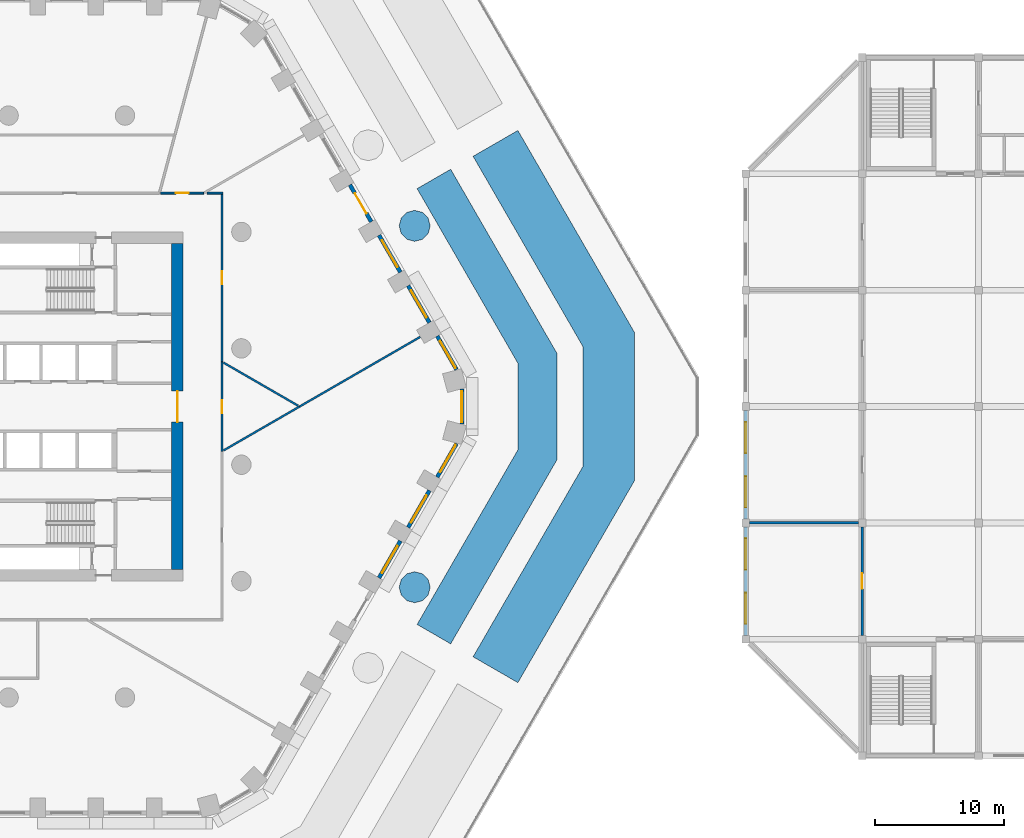
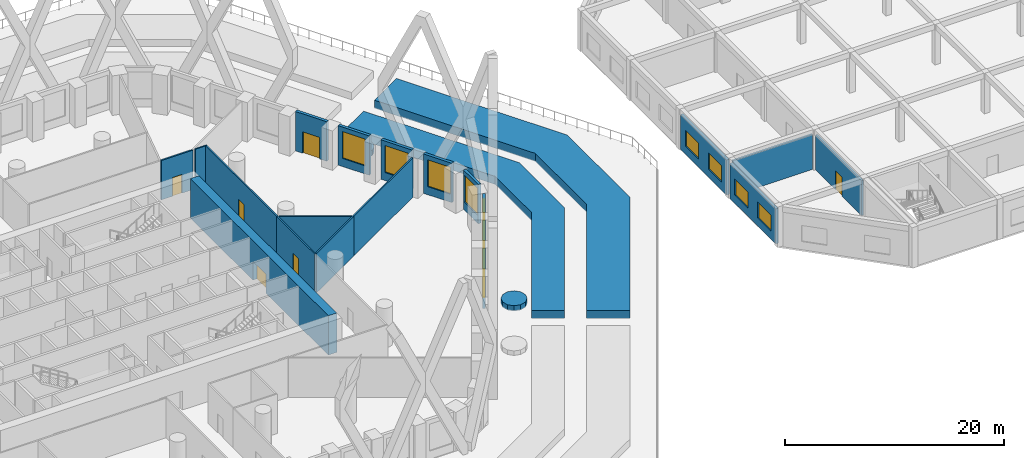
# One storey, part 10 of 27: 24 walls, 11 windows, 6 doors, 17 openings.
"""IFC4 building model written with IfcOpenShell, lengths in metres."""

from ifc_helpers import new_model, si_unit, direction, frame, frame_2d, origin, place, context, subcontext, project, spatial, polyline, rectangle, outline, extrude, material, layer, layer_set, type_object, element, fill, save


model = new_model("IFC4")

# Units and contexts
model_context = context("Model", 3, precision=1e-05, world=origin(), true_north=direction((0.0, 1.0)))
body_context = subcontext(model_context, "Body", "Model", "MODEL_VIEW")
ifc_project = project(units=[si_unit("LENGTHUNIT", "METRE"), si_unit("AREAUNIT", "SQUARE_METRE"), si_unit("VOLUMEUNIT", "CUBIC_METRE"), si_unit("PLANEANGLEUNIT", "RADIAN"), si_unit("MASSUNIT", "GRAM", prefix="KILO")], contexts=[model_context])

# Site, building, storey
site_placement = place(None, origin())
site = spatial("IfcSite", under=ifc_project, at=site_placement, CompositionType="ELEMENT")
building_placement = place(site_placement, origin())
building = spatial("IfcBuilding", under=site, at=building_placement, Name="Dhurran Vertical Campus", CompositionType="ELEMENT")
storey_placement = place(building_placement, frame((0.0, 0.0, 10.800048828125)))
storey = spatial("IfcBuildingStorey", under=building, at=storey_placement, Name="L02", CompositionType="ELEMENT", Elevation=10.800048828125)

# Wall, opening, window
ifc_material_1 = material(Name="Precast concrete C50/60", Category="concrete")
ifc_layer_1 = layer(ifc_material_1, 0.300048828125)
ifc_layer_set_1 = layer_set([ifc_layer_1], Name="Precast concrete C50/60")
wall_type_1 = type_object("IfcWallType", Name="Precast spandrel wall 300", PredefinedType="SOLIDWALL", material=ifc_layer_set_1)
wall_1_placement = place(storey_placement, frame((33.144287109375, -13.246337890625, 0.0), z_axis=(0.0, 0.0, 1.0), x_axis=(0.499991515992, 0.866030301974, 0.0)))
wall_1 = element("IfcWall", 1, at=wall_1_placement, inside=storey, type_object=wall_type_1, Name="EW1 L02.14", PredefinedType="SOLIDWALL", context=body_context, shape_type="SweptSolid", body=[
    extrude(rectangle(XDim=3.298828125, YDim=0.300048828125, at=frame_2d((1.6494140625, 0.0))), origin(), (0.0, 0.0, 1.0), 4.39990234375),
])
opening_1_placement = place(wall_1_placement, frame((0.449462890625, 0.0, 0.89990234375)))
opening_1 = element("IfcOpeningElement", 2, at=opening_1_placement, cuts=wall_1, Name="Opening WT2", PredefinedType="OPENING", context=body_context, shape_type="SweptSolid", body=[
    extrude(rectangle(XDim=2.39990234375, YDim=3.0, at=frame_2d((1.199951171875, 1.5))), frame((0.0, 0.159912109375, 0.0), z_axis=(0.0, -1.0, 0.0), x_axis=(1.0, 0.0, 0.0)), (0.0, 0.0, 1.0), 0.320068359375),
])
ifc_material_2 = material(Name="Aluminium frame with solar-control glass", Category="aluminium")
window_type_1 = type_object("IfcWindowType", Name="Podium window 2400 x 3000", PartitioningType="SINGLE_PANEL", PredefinedType="WINDOW", material=ifc_material_2)
window_1_placement = place(opening_1_placement, origin())
window_1 = element("IfcWindow", 3, at=window_1_placement, inside=storey, type_object=window_type_1, Name="WT2 L02.14", OverallHeight=3.0, OverallWidth=2.39990234375, PartitioningType="SINGLE_PANEL", PredefinedType="WINDOW", context=body_context, shape_type="SweptSolid", body=[
    extrude(rectangle(XDim=2.39990234375, YDim=3.0, at=frame_2d((1.199951171875, 1.5))), frame((0.0, 0.030029296875, 0.0), z_axis=(0.0, -1.0, 0.0), x_axis=(1.0, 0.0, 0.0)), (0.0, 0.0, 1.0), 0.06005859375),
])
fill(opening_1, window_1)

wall_2_placement = place(storey_placement, frame((35.394287109375, -9.34912109375, 0.0), z_axis=(0.0, 0.0, 1.0), x_axis=(0.499991515992, 0.866030301974, 0.0)))
wall_2 = element("IfcWall", 4, at=wall_2_placement, inside=storey, type_object=wall_type_1, Name="EW1 L02.15", PredefinedType="SOLIDWALL", context=body_context, shape_type="SweptSolid", body=[
    extrude(rectangle(XDim=3.298828125, YDim=0.300048828125, at=frame_2d((1.6494140625, 0.0))), origin(), (0.0, 0.0, 1.0), 4.39990234375),
])
opening_2_placement = place(wall_2_placement, frame((0.449462890625, 0.0, 0.89990234375)))
opening_2 = element("IfcOpeningElement", 5, at=opening_2_placement, cuts=wall_2, Name="Opening WT2", PredefinedType="OPENING", context=body_context, shape_type="SweptSolid", body=[
    extrude(rectangle(XDim=2.39990234375, YDim=3.0, at=frame_2d((1.199951171875, 1.5))), frame((0.0, 0.159912109375, 0.0), z_axis=(0.0, -1.0, 0.0), x_axis=(1.0, 0.0, 0.0)), (0.0, 0.0, 1.0), 0.320068359375),
])
window_2_placement = place(opening_2_placement, origin())
window_2 = element("IfcWindow", 6, at=window_2_placement, inside=storey, type_object=window_type_1, Name="WT2 L02.15", OverallHeight=3.0, OverallWidth=2.39990234375, PartitioningType="SINGLE_PANEL", PredefinedType="WINDOW", context=body_context, shape_type="SweptSolid", body=[
    extrude(rectangle(XDim=2.39990234375, YDim=3.0, at=frame_2d((1.199951171875, 1.5))), frame((0.0, 0.030029296875, 0.0), z_axis=(0.0, -1.0, 0.0), x_axis=(1.0, 0.0, 0.0)), (0.0, 0.0, 1.0), 0.06005859375),
])
fill(opening_2, window_2)

wall_3_placement = place(storey_placement, frame((37.644287109375, -5.4521484375, 0.0), z_axis=(0.0, 0.0, 1.0), x_axis=(0.49999586137, 0.866027793211, 0.0)))
wall_3 = element("IfcWall", 7, at=wall_3_placement, inside=storey, type_object=wall_type_1, Name="EW1 L02.16", PredefinedType="SOLIDWALL", context=body_context, shape_type="SweptSolid", body=[
    extrude(rectangle(XDim=2.98876953125, YDim=0.300048828125, at=frame_2d((1.494384765625, 0.0))), origin(), (0.0, 0.0, 1.0), 4.39990234375),
])
opening_3_placement = place(wall_3_placement, frame((0.449462890625, 0.0, 0.89990234375)))
opening_3 = element("IfcOpeningElement", 8, at=opening_3_placement, cuts=wall_3, Name="Opening WT2", PredefinedType="OPENING", context=body_context, shape_type="SweptSolid", body=[
    extrude(rectangle(XDim=2.39990234375, YDim=3.0, at=frame_2d((1.199951171875, 1.5))), frame((0.0, 0.159912109375, 0.0), z_axis=(0.0, -1.0, 0.0), x_axis=(1.0, 0.0, 0.0)), (0.0, 0.0, 1.0), 0.320068359375),
])
window_3_placement = place(opening_3_placement, origin())
window_3 = element("IfcWindow", 9, at=window_3_placement, inside=storey, type_object=window_type_1, Name="WT2 L02.16", OverallHeight=3.0, OverallWidth=2.39990234375, PartitioningType="SINGLE_PANEL", PredefinedType="WINDOW", context=body_context, shape_type="SweptSolid", body=[
    extrude(rectangle(XDim=2.39990234375, YDim=3.0, at=frame_2d((1.199951171875, 1.5))), frame((0.0, 0.030029296875, 0.0), z_axis=(0.0, -1.0, 0.0), x_axis=(1.0, 0.0, 0.0)), (0.0, 0.0, 1.0), 0.06005859375),
])
fill(opening_3, window_3)

wall_4_placement = place(storey_placement, frame((39.547119140625, -1.33935546875, 0.0), z_axis=(0.0, 0.0, 1.0), x_axis=(0.0, 1.0, 0.0)))
wall_4 = element("IfcWall", 10, at=wall_4_placement, inside=storey, type_object=wall_type_1, Name="EW1 L02.17", PredefinedType="SOLIDWALL", context=body_context, shape_type="SweptSolid", body=[
    extrude(rectangle(XDim=2.6787109375, YDim=0.300048828125, at=frame_2d((1.33935546875, 0.0))), origin(), (0.0, 0.0, 1.0), 4.39990234375),
])
opening_4_placement = place(wall_4_placement, frame((0.139404296875, 0.0, 0.89990234375)))
opening_4 = element("IfcOpeningElement", 11, at=opening_4_placement, cuts=wall_4, Name="Opening WT2", PredefinedType="OPENING", context=body_context, shape_type="SweptSolid", body=[
    extrude(rectangle(XDim=2.39990234375, YDim=3.0, at=frame_2d((1.199951171875, 1.5))), frame((0.0, 0.159912109375, 0.0), z_axis=(0.0, -1.0, 0.0), x_axis=(1.0, 0.0, 0.0)), (0.0, 0.0, 1.0), 0.320068359375),
])
window_4_placement = place(opening_4_placement, origin())
window_4 = element("IfcWindow", 12, at=window_4_placement, inside=storey, type_object=window_type_1, Name="WT2 L02.17", OverallHeight=3.0, OverallWidth=2.39990234375, PartitioningType="SINGLE_PANEL", PredefinedType="WINDOW", context=body_context, shape_type="SweptSolid", body=[
    extrude(rectangle(XDim=2.39990234375, YDim=3.0, at=frame_2d((1.199951171875, 1.5))), frame((0.0, 0.030029296875, 0.0), z_axis=(0.0, -1.0, 0.0), x_axis=(1.0, 0.0, 0.0)), (0.0, 0.0, 1.0), 0.06005859375),
])
fill(opening_4, window_4)

wall_5_placement = place(storey_placement, frame((39.138671875, 2.86376953125, 0.0), z_axis=(0.0, 0.0, 1.0), x_axis=(-0.49999586137, 0.866027793211, 0.0)))
wall_5 = element("IfcWall", 13, at=wall_5_placement, inside=storey, type_object=wall_type_1, Name="EW1 L02.18", PredefinedType="SOLIDWALL", context=body_context, shape_type="SweptSolid", body=[
    extrude(rectangle(XDim=2.98876953125, YDim=0.300048828125, at=frame_2d((1.494384765625, 0.0))), origin(), (0.0, 0.0, 1.0), 4.39990234375),
])
opening_5_placement = place(wall_5_placement, frame((0.139404296875, 0.0, 0.89990234375)))
opening_5 = element("IfcOpeningElement", 14, at=opening_5_placement, cuts=wall_5, Name="Opening WT2", PredefinedType="OPENING", context=body_context, shape_type="SweptSolid", body=[
    extrude(rectangle(XDim=2.39990234375, YDim=3.0, at=frame_2d((1.199951171875, 1.5))), frame((0.0, 0.159912109375, 0.0), z_axis=(0.0, -1.0, 0.0), x_axis=(1.0, 0.0, 0.0)), (0.0, 0.0, 1.0), 0.320068359375),
])
window_5_placement = place(opening_5_placement, origin())
window_5 = element("IfcWindow", 15, at=window_5_placement, inside=storey, type_object=window_type_1, Name="WT2 L02.18", OverallHeight=3.0, OverallWidth=2.39990234375, PartitioningType="SINGLE_PANEL", PredefinedType="WINDOW", context=body_context, shape_type="SweptSolid", body=[
    extrude(rectangle(XDim=2.39990234375, YDim=3.0, at=frame_2d((1.199951171875, 1.5))), frame((0.0, 0.030029296875, 0.0), z_axis=(0.0, -1.0, 0.0), x_axis=(1.0, 0.0, 0.0)), (0.0, 0.0, 1.0), 0.06005859375),
])
fill(opening_5, window_5)

wall_6_placement = place(storey_placement, frame((37.043701171875, 6.4921875, 0.0), z_axis=(0.0, 0.0, 1.0), x_axis=(-0.499991515992, 0.866030301974, 0.0)))
wall_6 = element("IfcWall", 16, at=wall_6_placement, inside=storey, type_object=wall_type_1, Name="EW1 L02.19", PredefinedType="SOLIDWALL", context=body_context, shape_type="SweptSolid", body=[
    extrude(rectangle(XDim=3.298828125, YDim=0.300048828125, at=frame_2d((1.6494140625, 0.0))), origin(), (0.0, 0.0, 1.0), 4.39990234375),
])
opening_6_placement = place(wall_6_placement, frame((0.449462890625, 0.0, 0.89990234375)))
opening_6 = element("IfcOpeningElement", 17, at=opening_6_placement, cuts=wall_6, Name="Opening WT2", PredefinedType="OPENING", context=body_context, shape_type="SweptSolid", body=[
    extrude(rectangle(XDim=2.39990234375, YDim=3.0, at=frame_2d((1.199951171875, 1.5))), frame((0.0, 0.159912109375, 0.0), z_axis=(0.0, -1.0, 0.0), x_axis=(1.0, 0.0, 0.0)), (0.0, 0.0, 1.0), 0.320068359375),
])
window_6_placement = place(opening_6_placement, origin())
window_6 = element("IfcWindow", 18, at=window_6_placement, inside=storey, type_object=window_type_1, Name="WT2 L02.19", OverallHeight=3.0, OverallWidth=2.39990234375, PartitioningType="SINGLE_PANEL", PredefinedType="WINDOW", context=body_context, shape_type="SweptSolid", body=[
    extrude(rectangle(XDim=2.39990234375, YDim=3.0, at=frame_2d((1.199951171875, 1.5))), frame((0.0, 0.030029296875, 0.0), z_axis=(0.0, -1.0, 0.0), x_axis=(1.0, 0.0, 0.0)), (0.0, 0.0, 1.0), 0.06005859375),
])
fill(opening_6, window_6)

wall_7_placement = place(storey_placement, frame((34.793701171875, 10.389404296875, 0.0), z_axis=(0.0, 0.0, 1.0), x_axis=(-0.499991515992, 0.866030301974, 0.0)))
wall_7 = element("IfcWall", 19, at=wall_7_placement, inside=storey, type_object=wall_type_1, Name="EW1 L02.20", PredefinedType="SOLIDWALL", context=body_context, shape_type="SweptSolid", body=[
    extrude(rectangle(XDim=3.298828125, YDim=0.300048828125, at=frame_2d((1.6494140625, 0.0))), origin(), (0.0, 0.0, 1.0), 4.39990234375),
])
opening_7_placement = place(wall_7_placement, frame((0.449462890625, 0.0, 0.89990234375)))
opening_7 = element("IfcOpeningElement", 20, at=opening_7_placement, cuts=wall_7, Name="Opening WT2", PredefinedType="OPENING", context=body_context, shape_type="SweptSolid", body=[
    extrude(rectangle(XDim=2.39990234375, YDim=3.0, at=frame_2d((1.199951171875, 1.5))), frame((0.0, 0.159912109375, 0.0), z_axis=(0.0, -1.0, 0.0), x_axis=(1.0, 0.0, 0.0)), (0.0, 0.0, 1.0), 0.320068359375),
])
window_7_placement = place(opening_7_placement, origin())
window_7 = element("IfcWindow", 21, at=window_7_placement, inside=storey, type_object=window_type_1, Name="WT2 L02.20", OverallHeight=3.0, OverallWidth=2.39990234375, PartitioningType="SINGLE_PANEL", PredefinedType="WINDOW", context=body_context, shape_type="SweptSolid", body=[
    extrude(rectangle(XDim=2.39990234375, YDim=3.0, at=frame_2d((1.199951171875, 1.5))), frame((0.0, 0.030029296875, 0.0), z_axis=(0.0, -1.0, 0.0), x_axis=(1.0, 0.0, 0.0)), (0.0, 0.0, 1.0), 0.06005859375),
])
fill(opening_7, window_7)

# Wall, opening, door
wall_8_placement = place(storey_placement, frame((30.894287109375, 17.143310546875, 0.0), z_axis=(0.0, 0.0, 1.0), x_axis=(0.499991515992, -0.866030301974, 0.0)))
wall_8 = element("IfcWall", 22, at=wall_8_placement, inside=storey, type_object=wall_type_1, Name="EW1 L02.21", PredefinedType="SOLIDWALL", context=body_context, shape_type="SweptSolid", body=[
    extrude(rectangle(XDim=3.298828125, YDim=0.300048828125, at=frame_2d((1.6494140625, 0.0))), origin(), (0.0, 0.0, 1.0), 4.39990234375),
])
opening_8_placement = place(wall_8_placement, frame((0.74951171875, 0.0, 0.0)))
opening_8 = element("IfcOpeningElement", 23, at=opening_8_placement, cuts=wall_8, Name="Opening D104", PredefinedType="OPENING", context=body_context, shape_type="SweptSolid", body=[
    extrude(rectangle(XDim=1.800048828125, YDim=2.39990234375, at=frame_2d((0.89990234375, 1.199951171875))), frame((0.0, 0.159912109375, 0.0), z_axis=(0.0, -1.0, 0.0), x_axis=(1.0, 0.0, 0.0)), (0.0, 0.0, 1.0), 0.320068359375),
])
ifc_material_3 = material(Name="Aluminium and clear glass", Category="aluminium")
door_type_1 = type_object("IfcDoorType", Name="Aluminium and glass garden door pair 1800 x 2400", OperationType="DOUBLE_DOOR_SINGLE_SWING", PredefinedType="DOOR", material=ifc_material_3)
door_1_placement = place(opening_8_placement, origin())
door_1 = element("IfcDoor", 24, at=door_1_placement, inside=storey, type_object=door_type_1, Name="D104 garden deck door", OperationType="DOUBLE_DOOR_SINGLE_SWING", OverallHeight=2.39990234375, OverallWidth=1.800048828125, PredefinedType="DOOR", context=body_context, shape_type="SweptSolid", body=[
    extrude(rectangle(XDim=1.800048828125, YDim=2.39990234375, at=frame_2d((0.89990234375, 1.199951171875))), frame((0.0, 0.02490234375, 0.0), z_axis=(0.0, -1.0, 0.0), x_axis=(1.0, 0.0, 0.0)), (0.0, 0.0, 1.0), 0.050048828125),
])
fill(opening_8, door_1)

ifc_material_4 = material(Name="Concrete C60/75", Category="concrete")
ifc_layer_2 = layer(ifc_material_4, 0.89990234375)
ifc_layer_set_2 = layer_set([ifc_layer_2], Name="Concrete C60/75")
wall_type_2 = type_object("IfcWallType", Name="co-CORE-WALL-C0-900", PredefinedType="SHEAR", material=ifc_layer_set_2)
wall_9_placement = place(storey_placement, frame((17.550048828125, -12.60009765625, 0.0), z_axis=(0.0, 0.0, 1.0), x_axis=(0.0, 1.0, 0.0)))
wall_9 = element("IfcWall", 25, at=wall_9_placement, inside=storey, type_object=wall_type_2, Name="Core wall E L02", PredefinedType="SHEAR", context=body_context, shape_type="SweptSolid", body=[
    extrude(rectangle(XDim=25.2001953125, YDim=0.89990234375, at=frame_2d((12.60009765625, 0.0))), origin(), (0.0, 0.0, 1.0), 4.39990234375),
])
opening_9_placement = place(wall_9_placement, frame((11.39990234375, 0.0, 0.0)))
opening_9 = element("IfcOpeningElement", 26, at=opening_9_placement, cuts=wall_9, Name="Opening CL2", PredefinedType="OPENING", context=body_context, shape_type="SweptSolid", body=[
    extrude(rectangle(XDim=2.39990234375, YDim=2.10009765625, at=frame_2d((1.199951171875, 1.050048828125))), frame((0.0, 0.4599609375, 0.0), z_axis=(0.0, -1.0, 0.0), x_axis=(1.0, 0.0, 0.0)), (0.0, 0.0, 1.0), 0.919921875),
])
ifc_material_5 = material(Name="Fire-rated glazed door set")
door_type_2 = type_object("IfcDoorType", Name="co-D-LOBBY 2400x2100", OperationType="DOUBLE_DOOR_DOUBLE_SWING", PredefinedType="DOOR", material=ifc_material_5)
door_2_placement = place(opening_9_placement, origin())
door_2 = element("IfcDoor", 27, at=door_2_placement, inside=storey, type_object=door_type_2, Name="Lift lobby door E L02", OperationType="DOUBLE_DOOR_DOUBLE_SWING", OverallHeight=2.10009765625, OverallWidth=2.39990234375, PredefinedType="DOOR", context=body_context, shape_type="SweptSolid", body=[
    extrude(rectangle(XDim=2.39990234375, YDim=2.10009765625, at=frame_2d((1.199951171875, 1.050048828125))), frame((0.0, 0.02490234375, 0.0), z_axis=(0.0, -1.0, 0.0), x_axis=(1.0, 0.0, 0.0)), (0.0, 0.0, 1.0), 0.050048828125),
])
fill(opening_9, door_2)

ifc_material_6 = material(Name="Gypsum board corridor wall on steel studs", Category="steel")
ifc_layer_3 = layer(ifc_material_6, 0.14990234375)
ifc_layer_set_3 = layer_set([ifc_layer_3], Name="Gypsum board corridor wall on steel studs")
wall_type_3 = type_object("IfcWallType", Name="fl-CW-150 corridor wall", PredefinedType="PARTITIONING", material=ifc_layer_set_3)
wall_10_placement = place(storey_placement, frame((19.5791015625, 16.5, 0.0), z_axis=(0.0, 0.0, 1.0), x_axis=(-1.0, 0.0, 0.0)))
wall_10 = element("IfcWall", 28, at=wall_10_placement, inside=storey, type_object=wall_type_3, Name="Partition 02-31", PredefinedType="PARTITIONING", context=body_context, shape_type="SweptSolid", body=[
    extrude(rectangle(XDim=3.328125, YDim=0.14990234375, at=frame_2d((1.6640625, 0.0))), origin(), (0.0, 0.0, 1.0), 4.39990234375),
])
opening_10_placement = place(wall_10_placement, frame((1.1640625, 0.0, 0.0)))
opening_10 = element("IfcOpeningElement", 29, at=opening_10_placement, cuts=wall_10, Name="Opening PD02.11", PredefinedType="OPENING", context=body_context, shape_type="SweptSolid", body=[
    extrude(rectangle(XDim=1.0, YDim=2.10009765625, at=frame_2d((0.5, 1.050048828125))), frame((0.0, 0.0849609375, 0.0), z_axis=(0.0, -1.0, 0.0), x_axis=(1.0, 0.0, 0.0)), (0.0, 0.0, 1.0), 0.169921875),
])
ifc_material_7 = material(Name="Solid-core timber door set, fire-rated", Category="wood")
door_type_3 = type_object("IfcDoorType", Name="fl-D-1000x2100", OperationType="SINGLE_SWING_LEFT", PredefinedType="DOOR", material=ifc_material_7)
door_3_placement = place(opening_10_placement, origin())
door_3 = element("IfcDoor", 30, at=door_3_placement, inside=storey, type_object=door_type_3, Name="Door 02.11", OperationType="SINGLE_SWING_RIGHT", OverallHeight=2.10009765625, OverallWidth=1.0, PredefinedType="DOOR", context=body_context, shape_type="SweptSolid", body=[
    extrude(rectangle(XDim=1.0, YDim=2.10009765625, at=frame_2d((0.5, 1.050048828125))), frame((0.0, 0.02490234375, 0.0), z_axis=(0.0, -1.0, 0.0), x_axis=(1.0, 0.0, 0.0)), (0.0, 0.0, 1.0), 0.050048828125),
])
fill(opening_10, door_3)

# Wall
wall_11_placement = place(storey_placement, frame((21.074951171875, 16.5, 0.0), z_axis=(0.0, 0.0, 1.0), x_axis=(-1.0, 0.0, 0.0)))
element("IfcWall", 31, at=wall_11_placement, inside=storey, type_object=wall_type_3, Name="Partition 02-33", PredefinedType="PARTITIONING", context=body_context, shape_type="SweptSolid", body=[
    extrude(rectangle(XDim=1.220947265625, YDim=0.14990234375, at=frame_2d((0.6103515625, 0.0))), origin(), (0.0, 0.0, 1.0), 4.39990234375),
])

# Wall, opening, door
wall_12_placement = place(storey_placement, frame((21.0, -3.464111328125, 0.0), z_axis=(0.0, 0.0, 1.0), x_axis=(0.0, 1.0, 0.0)))
wall_12 = element("IfcWall", 32, at=wall_12_placement, inside=storey, type_object=wall_type_3, Name="Partition 02-36", PredefinedType="PARTITIONING", context=body_context, shape_type="SweptSolid", body=[
    extrude(rectangle(XDim=6.92822265625, YDim=0.14990234375, at=frame_2d((3.464111328125, 0.0))), origin(), (0.0, 0.0, 1.0), 4.39990234375),
])
opening_11_placement = place(wall_12_placement, frame((2.964111328125, 0.0, 0.0)))
opening_11 = element("IfcOpeningElement", 33, at=opening_11_placement, cuts=wall_12, Name="Opening PD02.12", PredefinedType="OPENING", context=body_context, shape_type="SweptSolid", body=[
    extrude(rectangle(XDim=1.0, YDim=2.10009765625, at=frame_2d((0.5, 1.050048828125))), frame((0.0, 0.0849609375, 0.0), z_axis=(0.0, -1.0, 0.0), x_axis=(1.0, 0.0, 0.0)), (0.0, 0.0, 1.0), 0.169921875),
])
door_4_placement = place(opening_11_placement, origin())
door_4 = element("IfcDoor", 34, at=door_4_placement, inside=storey, type_object=door_type_3, Name="Door 02.12", OperationType="SINGLE_SWING_LEFT", OverallHeight=2.10009765625, OverallWidth=1.0, PredefinedType="DOOR", context=body_context, shape_type="SweptSolid", body=[
    extrude(rectangle(XDim=1.0, YDim=2.10009765625, at=frame_2d((0.5, 1.050048828125))), frame((0.0, 0.02490234375, 0.0), z_axis=(0.0, -1.0, 0.0), x_axis=(1.0, 0.0, 0.0)), (0.0, 0.0, 1.0), 0.050048828125),
])
fill(opening_11, door_4)

wall_13_placement = place(storey_placement, frame((21.0, 3.464111328125, 0.0), z_axis=(0.0, 0.0, 1.0), x_axis=(0.0, 1.0, 0.0)))
wall_13 = element("IfcWall", 35, at=wall_13_placement, inside=storey, type_object=wall_type_3, Name="Partition 02-38", PredefinedType="PARTITIONING", context=body_context, shape_type="SweptSolid", body=[
    extrude(rectangle(XDim=12.9609375, YDim=0.14990234375, at=frame_2d((6.48046875, 0.0))), origin(), (0.0, 0.0, 1.0), 4.39990234375),
])
opening_12_placement = place(wall_13_placement, frame((5.98046875, 0.0, 0.0)))
opening_12 = element("IfcOpeningElement", 36, at=opening_12_placement, cuts=wall_13, Name="Opening PD02.13", PredefinedType="OPENING", context=body_context, shape_type="SweptSolid", body=[
    extrude(rectangle(XDim=1.0, YDim=2.10009765625, at=frame_2d((0.5, 1.050048828125))), frame((0.0, 0.0849609375, 0.0), z_axis=(0.0, -1.0, 0.0), x_axis=(1.0, 0.0, 0.0)), (0.0, 0.0, 1.0), 0.169921875),
])
door_5_placement = place(opening_12_placement, origin())
door_5 = element("IfcDoor", 37, at=door_5_placement, inside=storey, type_object=door_type_3, Name="Door 02.13", OperationType="SINGLE_SWING_RIGHT", OverallHeight=2.10009765625, OverallWidth=1.0, PredefinedType="DOOR", context=body_context, shape_type="SweptSolid", body=[
    extrude(rectangle(XDim=1.0, YDim=2.10009765625, at=frame_2d((0.5, 1.050048828125))), frame((0.0, 0.02490234375, 0.0), z_axis=(0.0, -1.0, 0.0), x_axis=(1.0, 0.0, 0.0)), (0.0, 0.0, 1.0), 0.050048828125),
])
fill(opening_12, door_5)

# Walls
ifc_material_8 = material(Name="Gypsum board partition on steel studs", Category="steel")
ifc_layer_4 = layer(ifc_material_8, 0.14990234375)
ifc_layer_set_4 = layer_set([ifc_layer_4], Name="Gypsum board partition on steel studs")
wall_type_4 = type_object("IfcWallType", Name="fl-PW-150 fixed partition", PredefinedType="PARTITIONING", material=ifc_layer_set_4)
wall_14_placement = place(storey_placement, frame((27.0, 0.0, 0.0), z_axis=(0.0, 0.0, 1.0), x_axis=(-0.866037871166, -0.49997840524, 0.0)))
element("IfcWall", 38, at=wall_14_placement, inside=storey, type_object=wall_type_4, Name="Partition 02-37", PredefinedType="PARTITIONING", context=body_context, shape_type="SweptSolid", body=[
    extrude(rectangle(XDim=6.798095703125, YDim=0.14990234375, at=frame_2d((3.39892578125, 0.0))), origin(), (0.0, 0.0, 1.0), 4.39990234375),
])
wall_15_placement = place(storey_placement, frame((21.112548828125, 3.39892578125, 0.0), z_axis=(0.0, 0.0, 1.0), x_axis=(0.8660356018, -0.499982336103, 0.0)))
element("IfcWall", 39, at=wall_15_placement, inside=storey, type_object=wall_type_4, Name="Partition 02-39", PredefinedType="PARTITIONING", context=body_context, shape_type="SweptSolid", body=[
    extrude(rectangle(XDim=6.668212890625, YDim=0.14990234375, at=frame_2d((3.333984375, 0.0))), origin(), (0.0, 0.0, 1.0), 4.39990234375),
])
wall_16_placement = place(storey_placement, frame((36.330810546875, 5.38720703125, 0.0), z_axis=(0.0, 0.0, 1.0), x_axis=(-0.866022950206, -0.500004249699, 0.0)))
element("IfcWall", 40, at=wall_16_placement, inside=storey, type_object=wall_type_4, Name="Partition 02-40", PredefinedType="PARTITIONING", context=body_context, shape_type="SweptSolid", body=[
    extrude(rectangle(XDim=10.7744140625, YDim=0.14990234375, at=frame_2d((5.38720703125, 0.0))), origin(), (0.0, 0.0, 1.0), 4.39990234375),
])

# Wall, openings, windows
ifc_material_9 = material(Name="Precast concrete C40/50", Category="concrete")
ifc_layer_5 = layer(ifc_material_9, 0.300048828125)
ifc_layer_set_5 = layer_set([ifc_layer_5], Name="Precast concrete C40/50")
wall_type_5 = type_object("IfcWallType", Name="hl-external wall precast 300", PredefinedType="SOLIDWALL", material=ifc_layer_set_5)
wall_17_placement = place(storey_placement, frame((61.5, -0.300048828125, 0.0), z_axis=(0.0, 0.0, 1.0), x_axis=(0.0, -1.0, 0.0)))
wall_17 = element("IfcWall", 41, at=wall_17_placement, inside=storey, type_object=wall_type_5, Name="Hall external wall L02-046", PredefinedType="SOLIDWALL", context=body_context, shape_type="SweptSolid", body=[
    extrude(rectangle(XDim=8.39990234375, YDim=0.300048828125, at=frame_2d((4.199951171875, 0.0))), origin(), (0.0, 0.0, 1.0), 3.89990234375),
])
opening_13_placement = place(wall_17_placement, frame((0.89990234375, 0.0, 0.89990234375)))
opening_13 = element("IfcOpeningElement", 42, at=opening_13_placement, cuts=wall_17, Name="Opening HWN1", PredefinedType="OPENING", context=body_context, shape_type="SweptSolid", body=[
    extrude(rectangle(XDim=2.39990234375, YDim=1.800048828125, at=frame_2d((1.199951171875, 0.89990234375))), frame((0.0, 0.159912109375, 0.0), z_axis=(0.0, -1.0, 0.0), x_axis=(1.0, 0.0, 0.0)), (0.0, 0.0, 1.0), 0.320068359375),
])
opening_14_placement = place(wall_17_placement, frame((5.10009765625, 0.0, 0.89990234375)))
opening_14 = element("IfcOpeningElement", 43, at=opening_14_placement, cuts=wall_17, Name="Opening HWN1", PredefinedType="OPENING", context=body_context, shape_type="SweptSolid", body=[
    extrude(rectangle(XDim=2.39990234375, YDim=1.800048828125, at=frame_2d((1.199951171875, 0.89990234375))), frame((0.0, 0.159912109375, 0.0), z_axis=(0.0, -1.0, 0.0), x_axis=(1.0, 0.0, 0.0)), (0.0, 0.0, 1.0), 0.320068359375),
])
ifc_material_10 = material(Name="Aluminium", Category="aluminium")
window_type_2 = type_object("IfcWindowType", Name="hl-window 2400x1800", PartitioningType="SINGLE_PANEL", PredefinedType="WINDOW", material=ifc_material_10)
window_8_placement = place(opening_13_placement, origin())
window_8 = element("IfcWindow", 44, at=window_8_placement, inside=storey, type_object=window_type_2, Name="Hall window L02-061", OverallHeight=1.800048828125, OverallWidth=2.39990234375, PartitioningType="SINGLE_PANEL", PredefinedType="WINDOW", context=body_context, shape_type="SweptSolid", body=[
    extrude(rectangle(XDim=2.39990234375, YDim=1.800048828125, at=frame_2d((1.199951171875, 0.89990234375))), frame((0.0, 0.030029296875, 0.0), z_axis=(0.0, -1.0, 0.0), x_axis=(1.0, 0.0, 0.0)), (0.0, 0.0, 1.0), 0.06005859375),
])
fill(opening_13, window_8)
window_9_placement = place(opening_14_placement, origin())
window_9 = element("IfcWindow", 45, at=window_9_placement, inside=storey, type_object=window_type_2, Name="Hall window L02-062", OverallHeight=1.800048828125, OverallWidth=2.39990234375, PartitioningType="SINGLE_PANEL", PredefinedType="WINDOW", context=body_context, shape_type="SweptSolid", body=[
    extrude(rectangle(XDim=2.39990234375, YDim=1.800048828125, at=frame_2d((1.199951171875, 0.89990234375))), frame((0.0, 0.030029296875, 0.0), z_axis=(0.0, -1.0, 0.0), x_axis=(1.0, 0.0, 0.0)), (0.0, 0.0, 1.0), 0.06005859375),
])
fill(opening_14, window_9)

wall_18_placement = place(storey_placement, frame((61.5, -9.300048828125, 0.0), z_axis=(0.0, 0.0, 1.0), x_axis=(0.0, -1.0, 0.0)))
wall_18 = element("IfcWall", 46, at=wall_18_placement, inside=storey, type_object=wall_type_5, Name="Hall external wall L02-048", PredefinedType="SOLIDWALL", context=body_context, shape_type="SweptSolid", body=[
    extrude(rectangle(XDim=8.39990234375, YDim=0.300048828125, at=frame_2d((4.199951171875, 0.0))), origin(), (0.0, 0.0, 1.0), 3.89990234375),
])
opening_15_placement = place(wall_18_placement, frame((0.89990234375, 0.0, 0.89990234375)))
opening_15 = element("IfcOpeningElement", 47, at=opening_15_placement, cuts=wall_18, Name="Opening HWN1", PredefinedType="OPENING", context=body_context, shape_type="SweptSolid", body=[
    extrude(rectangle(XDim=2.39990234375, YDim=1.800048828125, at=frame_2d((1.199951171875, 0.89990234375))), frame((0.0, 0.159912109375, 0.0), z_axis=(0.0, -1.0, 0.0), x_axis=(1.0, 0.0, 0.0)), (0.0, 0.0, 1.0), 0.320068359375),
])
opening_16_placement = place(wall_18_placement, frame((5.10009765625, 0.0, 0.89990234375)))
opening_16 = element("IfcOpeningElement", 48, at=opening_16_placement, cuts=wall_18, Name="Opening HWN1", PredefinedType="OPENING", context=body_context, shape_type="SweptSolid", body=[
    extrude(rectangle(XDim=2.39990234375, YDim=1.800048828125, at=frame_2d((1.199951171875, 0.89990234375))), frame((0.0, 0.159912109375, 0.0), z_axis=(0.0, -1.0, 0.0), x_axis=(1.0, 0.0, 0.0)), (0.0, 0.0, 1.0), 0.320068359375),
])
window_10_placement = place(opening_15_placement, origin())
window_10 = element("IfcWindow", 49, at=window_10_placement, inside=storey, type_object=window_type_2, Name="Hall window L02-063", OverallHeight=1.800048828125, OverallWidth=2.39990234375, PartitioningType="SINGLE_PANEL", PredefinedType="WINDOW", context=body_context, shape_type="SweptSolid", body=[
    extrude(rectangle(XDim=2.39990234375, YDim=1.800048828125, at=frame_2d((1.199951171875, 0.89990234375))), frame((0.0, 0.030029296875, 0.0), z_axis=(0.0, -1.0, 0.0), x_axis=(1.0, 0.0, 0.0)), (0.0, 0.0, 1.0), 0.06005859375),
])
fill(opening_15, window_10)
window_11_placement = place(opening_16_placement, origin())
window_11 = element("IfcWindow", 50, at=window_11_placement, inside=storey, type_object=window_type_2, Name="Hall window L02-064", OverallHeight=1.800048828125, OverallWidth=2.39990234375, PartitioningType="SINGLE_PANEL", PredefinedType="WINDOW", context=body_context, shape_type="SweptSolid", body=[
    extrude(rectangle(XDim=2.39990234375, YDim=1.800048828125, at=frame_2d((1.199951171875, 0.89990234375))), frame((0.0, 0.030029296875, 0.0), z_axis=(0.0, -1.0, 0.0), x_axis=(1.0, 0.0, 0.0)), (0.0, 0.0, 1.0), 0.06005859375),
])
fill(opening_16, window_11)

# Wall
ifc_material_11 = material(Name="Masonry blockwork", Category="masonry")
ifc_layer_6 = layer(ifc_material_11, 0.199951171875)
ifc_layer_set_6 = layer_set([ifc_layer_6], Name="Masonry blockwork")
wall_type_6 = type_object("IfcWallType", Name="hl-partition blockwork 200 EI 60", PredefinedType="PARTITIONING", material=ifc_layer_set_6)
wall_19_placement = place(storey_placement, frame((61.800048828125, -9.0, 0.0), z_axis=(0.0, 0.0, 1.0), x_axis=(1.0, 0.0, 0.0)))
element("IfcWall", 51, at=wall_19_placement, inside=storey, type_object=wall_type_6, Name="Hall partition L02-001", PredefinedType="PARTITIONING", context=body_context, shape_type="SweptSolid", body=[
    extrude(rectangle(XDim=8.39990234375, YDim=0.199951171875, at=frame_2d((4.199951171875, 0.0))), origin(), (0.0, 0.0, 1.0), 3.89990234375),
])

# Wall, opening, door
wall_20_placement = place(storey_placement, frame((70.5, -17.699951171875, 0.0), z_axis=(0.0, 0.0, 1.0), x_axis=(0.0, 1.0, 0.0)))
wall_20 = element("IfcWall", 52, at=wall_20_placement, inside=storey, type_object=wall_type_6, Name="Hall partition L02-004", PredefinedType="PARTITIONING", context=body_context, shape_type="SweptSolid", body=[
    extrude(rectangle(XDim=8.39990234375, YDim=0.199951171875, at=frame_2d((4.199951171875, 0.0))), origin(), (0.0, 0.0, 1.0), 3.89990234375),
])
opening_17_placement = place(wall_20_placement, frame((3.60009765625, 0.0, 0.0)))
opening_17 = element("IfcOpeningElement", 53, at=opening_17_placement, cuts=wall_20, Name="Opening HD209", PredefinedType="OPENING", context=body_context, shape_type="SweptSolid", body=[
    extrude(rectangle(XDim=1.199951171875, YDim=2.10009765625, at=frame_2d((0.60009765625, 1.050048828125))), frame((0.0, 0.10986328125, 0.0), z_axis=(0.0, -1.0, 0.0), x_axis=(1.0, 0.0, 0.0)), (0.0, 0.0, 1.0), 0.219970703125),
])
ifc_material_12 = material(Name="Fire-rated steel door set", Category="steel")
door_type_4 = type_object("IfcDoorType", Name="hl-door 1200x2100 single FD30S", OperationType="NOTDEFINED", PredefinedType="DOOR", material=ifc_material_12)
door_6_placement = place(opening_17_placement, origin())
door_6 = element("IfcDoor", 54, at=door_6_placement, inside=storey, type_object=door_type_4, Name="Door HD209", OperationType="SINGLE_SWING_LEFT", OverallHeight=2.10009765625, OverallWidth=1.199951171875, PredefinedType="DOOR", context=body_context, shape_type="SweptSolid", body=[
    extrude(rectangle(XDim=1.199951171875, YDim=2.10009765625, at=frame_2d((0.60009765625, 1.050048828125))), frame((0.0, 0.02490234375, 0.0), z_axis=(0.0, -1.0, 0.0), x_axis=(1.0, 0.0, 0.0)), (0.0, 0.0, 1.0), 0.050048828125),
])
fill(opening_17, door_6)

# Walls
ifc_material_13 = material(Name="Concrete C35/45", Category="concrete")
ifc_layer_7 = layer(ifc_material_13, 3.0)
ifc_layer_set_7 = layer_set([ifc_layer_7], Name="Concrete C35/45")
wall_type_7 = type_object("IfcWallType", Name="st-planting bed 900", PredefinedType="SOLIDWALL", material=ifc_layer_set_7)
wall_21_placement = place(storey_placement, origin())
element("IfcWall", 55, at=wall_21_placement, inside=storey, type_object=wall_type_7, Name="Planter 07", PredefinedType="SOLIDWALL", context=body_context, shape_type="SweptSolid", body=[
    extrude(outline(polyline([(38.684326171875, 18.3505859375), (36.086181640625, 16.8505859375), (43.897216796875, 3.32177734375), (43.897216796875, -3.32177734375), (36.086181640625, -16.8505859375), (38.684326171875, -18.3505859375), (46.897216796875, -4.12548828125), (46.897216796875, 4.12548828125), (38.684326171875, 18.3505859375)])), origin(), (0.0, 0.0, 1.0), 0.89990234375),
])
wall_22_placement = place(storey_placement, origin())
element("IfcWall", 56, at=wall_22_placement, inside=storey, type_object=wall_type_7, Name="Planter 08", PredefinedType="SOLIDWALL", context=body_context, shape_type="SweptSolid", body=[
    extrude(outline(polyline([(43.88037109375, 21.3505859375), (40.416259765625, 19.3505859375), (48.897216796875, 4.66162109375), (48.897216796875, -4.66162109375), (40.416259765625, -19.3505859375), (43.88037109375, -21.3505859375), (52.897216796875, -5.7333984375), (52.897216796875, 5.7333984375), (43.88037109375, 21.3505859375)])), origin(), (0.0, 0.0, 1.0), 0.89990234375),
])
ifc_material_14 = material(Name="Concrete C35/45", Category="concrete")
ifc_layer_8 = layer(ifc_material_14, 2.39990234375)
ifc_layer_set_8 = layer_set([ifc_layer_8], Name="Concrete C35/45")
wall_type_8 = type_object("IfcWallType", Name="st-tree pit 600", PredefinedType="SOLIDWALL", material=ifc_layer_set_8)
wall_23_placement = place(storey_placement, origin())
element("IfcWall", 57, at=wall_23_placement, inside=storey, type_object=wall_type_8, Name="Tree pit 04", PredefinedType="SOLIDWALL", context=body_context, shape_type="SweptSolid", body=[
    extrude(outline(polyline([(37.1005859375, -13.97216796875), (36.939697265625, -14.572265625), (36.50048828125, -15.011474609375), (35.900634765625, -15.172119140625), (35.300537109375, -15.011474609375), (34.861328125, -14.572265625), (34.70068359375, -13.97216796875), (34.861328125, -13.372314453125), (35.300537109375, -12.93310546875), (35.900634765625, -12.772216796875), (36.50048828125, -12.93310546875), (36.939697265625, -13.372314453125), (37.1005859375, -13.97216796875)])), origin(), (0.0, 0.0, 1.0), 0.599853515625),
])
wall_24_placement = place(storey_placement, origin())
element("IfcWall", 58, at=wall_24_placement, inside=storey, type_object=wall_type_8, Name="Tree pit 05", PredefinedType="SOLIDWALL", context=body_context, shape_type="SweptSolid", body=[
    extrude(outline(polyline([(37.1005859375, 13.97216796875), (36.939697265625, 13.372314453125), (36.50048828125, 12.93310546875), (35.900634765625, 12.772216796875), (35.300537109375, 12.93310546875), (34.861328125, 13.372314453125), (34.70068359375, 13.97216796875), (34.861328125, 14.572265625), (35.300537109375, 15.011474609375), (35.900634765625, 15.172119140625), (36.50048828125, 15.011474609375), (36.939697265625, 14.572265625), (37.1005859375, 13.97216796875)])), origin(), (0.0, 0.0, 1.0), 0.599853515625),
])

save(model, "model.ifc")
